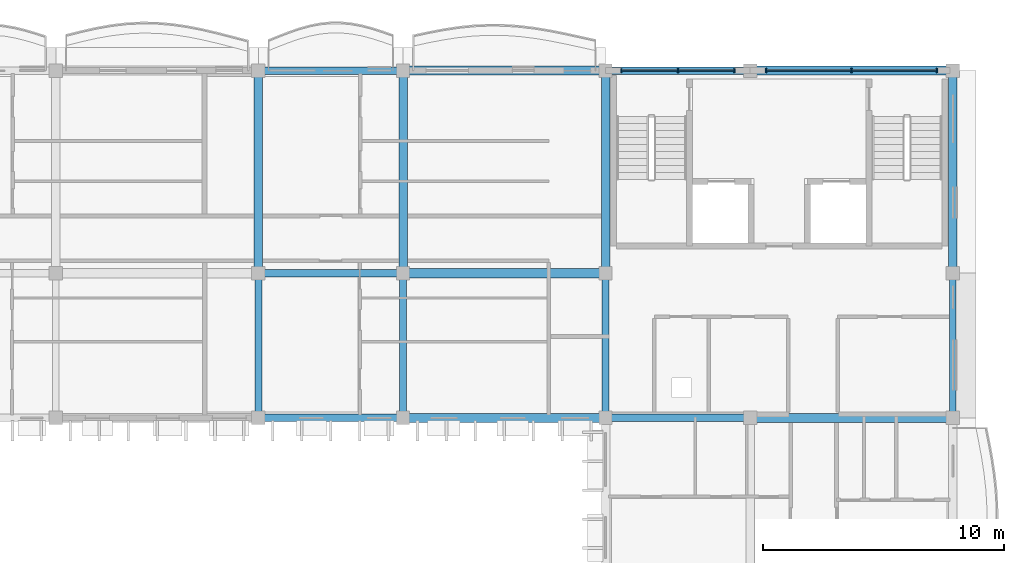
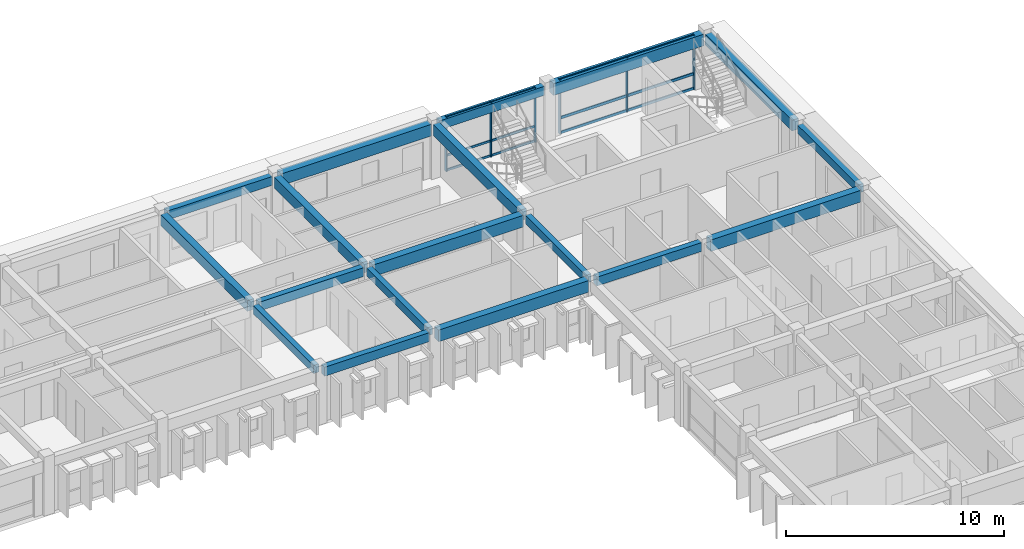
# One storey, part 7 of 31: 18 beams, 12 members, 2 elements without a shape of their own.
"""IFC4 building model written with IfcOpenShell, lengths in metres."""

from ifc_helpers import new_model, si_unit, direction, frame, origin, origin_2d, place, context, subcontext, project, spatial, rectangle, extrude, material, material_profile, profile_set, type_object, element, aggregate, save


model = new_model("IFC4")

# Units and contexts
model_context = context("Model", 3, precision=1e-05, world=origin(), true_north=direction((0.0, 1.0)))
body_context = subcontext(model_context, "Body", "Model", "MODEL_VIEW")
ifc_project = project(units=[si_unit("LENGTHUNIT", "METRE"), si_unit("AREAUNIT", "SQUARE_METRE"), si_unit("VOLUMEUNIT", "CUBIC_METRE"), si_unit("PLANEANGLEUNIT", "RADIAN"), si_unit("MASSUNIT", "GRAM", prefix="KILO"), si_unit("THERMODYNAMICTEMPERATUREUNIT", "KELVIN")], contexts=[model_context])

# Site, building, storey
site_placement = place(None, origin())
site = spatial("IfcSite", under=ifc_project, at=site_placement, CompositionType="ELEMENT")
building_placement = place(site_placement, origin())
building = spatial("IfcBuilding", under=site, at=building_placement, Name="Thalorik Housing Commons", CompositionType="ELEMENT")
storey_placement = place(building_placement, frame((0.0, 0.0, 37.800048828125)))
storey = spatial("IfcBuildingStorey", under=building, at=storey_placement, Name="L11", CompositionType="ELEMENT", Elevation=37.800048828125)

# Curtain wall, members
ifc_material_1 = material(Name="Anodised aluminium and solar-control low-E glass", Category="aluminium")
curtain_wall_type = type_object("IfcCurtainWallType", Name="ARC-CW-CORE", PredefinedType="USERDEFINED", material=ifc_material_1)
curtain_wall_1_placement = place(storey_placement, origin())
curtain_wall_1 = element("IfcCurtainWall", 1, at=curtain_wall_1_placement, inside=storey, type_object=curtain_wall_type, Name="L11 Curtain Wall CW-CORE-L11-B-119", ObjectType="CURTAIN WALL", PredefinedType="USERDEFINED")
ifc_material_2 = material(Name="Anodised aluminium 6063-T6", Category="aluminium")
ifc_material_profile_1 = material_profile(ifc_material_2, rectangle(XDim=0.06005859375, YDim=0.159912109375, at=origin_2d()), Name="ALU MUL 60x160", Category="aluminium")
ifc_profile_set_1 = profile_set([ifc_material_profile_1], Name="Anodised aluminium 6063-T6")
member_type_1 = type_object("IfcMemberType", Name="ARC-CW-MUL-60x160", PredefinedType="MULLION", material=ifc_profile_set_1)
member_1_placement = place(storey_placement, frame((157.75, 123.60009765625, 0.0), z_axis=(0.0, 0.0, 1.0), x_axis=(-1.0, 0.0, 0.0)))
member_1 = element("IfcMember", 2, at=member_1_placement, type_object=member_type_1, Name="CW-CORE-L11-B-119 Mullion 1", PredefinedType="MULLION", context=body_context, shape_type="SweptSolid", body=[
    extrude(rectangle(XDim=0.06005859375, YDim=0.159912109375, at=origin_2d()), origin(), (0.0, 0.0, 1.0), 3.0400390625),
])
member_2_placement = place(storey_placement, frame((155.39990234375, 123.60009765625, 0.0), z_axis=(0.0, 0.0, 1.0), x_axis=(-1.0, 0.0, 0.0)))
member_2 = element("IfcMember", 3, at=member_2_placement, type_object=member_type_1, Name="CW-CORE-L11-B-119 Mullion 2", PredefinedType="MULLION", context=body_context, shape_type="SweptSolid", body=[
    extrude(rectangle(XDim=0.06005859375, YDim=0.159912109375, at=origin_2d()), origin(), (0.0, 0.0, 1.0), 3.0400390625),
])
member_3_placement = place(storey_placement, frame((153.050048828125, 123.60009765625, 0.0), z_axis=(0.0, 0.0, 1.0), x_axis=(-1.0, 0.0, 0.0)))
member_3 = element("IfcMember", 4, at=member_3_placement, type_object=member_type_1, Name="CW-CORE-L11-B-119 Mullion 3", PredefinedType="MULLION", context=body_context, shape_type="SweptSolid", body=[
    extrude(rectangle(XDim=0.06005859375, YDim=0.159912109375, at=origin_2d()), origin(), (0.0, 0.0, 1.0), 3.0400390625),
])

curtain_wall_2_placement = place(storey_placement, origin())
curtain_wall_2 = element("IfcCurtainWall", 5, at=curtain_wall_2_placement, inside=storey, type_object=curtain_wall_type, Name="L11 Curtain Wall CW-CORE-L11-B-118", ObjectType="CURTAIN WALL", PredefinedType="USERDEFINED")
ifc_material_profile_2 = material_profile(ifc_material_2, rectangle(XDim=0.06494140625, YDim=0.179931640625, at=origin_2d()), Name="ALU MUL 65x180", Category="aluminium")
ifc_profile_set_2 = profile_set([ifc_material_profile_2], Name="Anodised aluminium 6063-T6")
member_type_2 = type_object("IfcMemberType", Name="ARC-CW-MUL-65x180", PredefinedType="MULLION", material=ifc_profile_set_2)
member_4_placement = place(storey_placement, frame((166.14990234375, 123.60009765625, 0.0), z_axis=(0.0, 0.0, 1.0), x_axis=(-1.0, 0.0, 0.0)))
member_4 = element("IfcMember", 6, at=member_4_placement, type_object=member_type_2, Name="CW-CORE-L11-B-118 Mullion 1", PredefinedType="MULLION", context=body_context, shape_type="SweptSolid", body=[
    extrude(rectangle(XDim=0.06494140625, YDim=0.179931640625, at=origin_2d()), origin(), (0.0, 0.0, 1.0), 3.0400390625),
])
member_5_placement = place(storey_placement, frame((162.60009765625, 123.60009765625, 0.0), z_axis=(0.0, 0.0, 1.0), x_axis=(-1.0, 0.0, 0.0)))
member_5 = element("IfcMember", 7, at=member_5_placement, type_object=member_type_2, Name="CW-CORE-L11-B-118 Mullion 2", PredefinedType="MULLION", context=body_context, shape_type="SweptSolid", body=[
    extrude(rectangle(XDim=0.06494140625, YDim=0.179931640625, at=origin_2d()), origin(), (0.0, 0.0, 1.0), 3.0400390625),
])
member_6_placement = place(storey_placement, frame((159.050048828125, 123.60009765625, 0.0), z_axis=(0.0, 0.0, 1.0), x_axis=(-1.0, 0.0, 0.0)))
member_6 = element("IfcMember", 8, at=member_6_placement, type_object=member_type_2, Name="CW-CORE-L11-B-118 Mullion 3", PredefinedType="MULLION", context=body_context, shape_type="SweptSolid", body=[
    extrude(rectangle(XDim=0.06494140625, YDim=0.179931640625, at=origin_2d()), origin(), (0.0, 0.0, 1.0), 3.0400390625),
])

# Member
ifc_material_profile_3 = material_profile(ifc_material_2, rectangle(XDim=0.06005859375, YDim=0.1201171875, at=origin_2d()), Name="ALU TRN 60x120", Category="aluminium")
ifc_profile_set_3 = profile_set([ifc_material_profile_3], Name="Anodised aluminium 6063-T6")
member_type_3 = type_object("IfcMemberType", Name="ARC-CW-TRN-60x120", PredefinedType="USERDEFINED", material=ifc_profile_set_3)
member_7_placement = place(storey_placement, frame((157.75, 123.60009765625, 0.054931640625), z_axis=(-1.0, 0.0, 0.0), x_axis=(0.0, -1.0, 0.0)))
member_7 = element("IfcMember", 9, at=member_7_placement, type_object=member_type_3, Name="CW-CORE-L11-B-119 Transom 1", ObjectType="TRANSOM", PredefinedType="USERDEFINED", context=body_context, shape_type="SweptSolid", body=[
    extrude(rectangle(XDim=0.06005859375, YDim=0.1201171875, at=origin_2d()), origin(), (0.0, 0.0, 1.0), 4.699951171875),
])

member_8_placement = place(storey_placement, frame((157.75, 123.60009765625, 0.8798828125), z_axis=(-1.0, 0.0, 0.0), x_axis=(0.0, -1.0, 0.0)))
member_8 = element("IfcMember", 10, at=member_8_placement, type_object=member_type_3, Name="CW-CORE-L11-B-119 Transom 2", ObjectType="TRANSOM", PredefinedType="USERDEFINED", context=body_context, shape_type="SweptSolid", body=[
    extrude(rectangle(XDim=0.06005859375, YDim=0.1201171875, at=origin_2d()), origin(), (0.0, 0.0, 1.0), 4.699951171875),
])

member_9_placement = place(storey_placement, frame((157.75, 123.60009765625, 2.98486328125), z_axis=(-1.0, 0.0, 0.0), x_axis=(0.0, -1.0, 0.0)))
member_9 = element("IfcMember", 11, at=member_9_placement, type_object=member_type_3, Name="CW-CORE-L11-B-119 Transom 3", ObjectType="TRANSOM", PredefinedType="USERDEFINED", context=body_context, shape_type="SweptSolid", body=[
    extrude(rectangle(XDim=0.06005859375, YDim=0.1201171875, at=origin_2d()), origin(), (0.0, 0.0, 1.0), 4.699951171875),
])

aggregate(curtain_wall_1, [member_1, member_2, member_3, member_7, member_8, member_9])

ifc_material_profile_4 = material_profile(ifc_material_2, rectangle(XDim=0.06494140625, YDim=0.14990234375, at=origin_2d()), Name="ALU TRN 65x150", Category="aluminium")
ifc_profile_set_4 = profile_set([ifc_material_profile_4], Name="Anodised aluminium 6063-T6")
member_type_4 = type_object("IfcMemberType", Name="ARC-CW-TRN-65x150", PredefinedType="USERDEFINED", material=ifc_profile_set_4)
member_10_placement = place(storey_placement, frame((166.14990234375, 123.60009765625, 0.054931640625), z_axis=(-1.0, 0.0, 0.0), x_axis=(0.0, -1.0, 0.0)))
member_10 = element("IfcMember", 12, at=member_10_placement, type_object=member_type_4, Name="CW-CORE-L11-B-118 Transom 1", ObjectType="TRANSOM", PredefinedType="USERDEFINED", context=body_context, shape_type="SweptSolid", body=[
    extrude(rectangle(XDim=0.06494140625, YDim=0.14990234375, at=origin_2d()), origin(), (0.0, 0.0, 1.0), 7.099853515625),
])

member_11_placement = place(storey_placement, frame((166.14990234375, 123.60009765625, 0.8798828125), z_axis=(-1.0, 0.0, 0.0), x_axis=(0.0, -1.0, 0.0)))
member_11 = element("IfcMember", 13, at=member_11_placement, type_object=member_type_4, Name="CW-CORE-L11-B-118 Transom 2", ObjectType="TRANSOM", PredefinedType="USERDEFINED", context=body_context, shape_type="SweptSolid", body=[
    extrude(rectangle(XDim=0.06494140625, YDim=0.14990234375, at=origin_2d()), origin(), (0.0, 0.0, 1.0), 7.099853515625),
])

member_12_placement = place(storey_placement, frame((166.14990234375, 123.60009765625, 2.98486328125), z_axis=(-1.0, 0.0, 0.0), x_axis=(0.0, -1.0, 0.0)))
member_12 = element("IfcMember", 14, at=member_12_placement, type_object=member_type_4, Name="CW-CORE-L11-B-118 Transom 3", ObjectType="TRANSOM", PredefinedType="USERDEFINED", context=body_context, shape_type="SweptSolid", body=[
    extrude(rectangle(XDim=0.06494140625, YDim=0.14990234375, at=origin_2d()), origin(), (0.0, 0.0, 1.0), 7.099853515625),
])

aggregate(curtain_wall_2, [member_4, member_5, member_6, member_10, member_11, member_12])

# Beams
ifc_material_3 = material(Name="Precast concrete C40/50", Category="concrete")
ifc_material_profile_5 = material_profile(ifc_material_3, rectangle(XDim=0.280029296875, YDim=0.449951171875, at=origin_2d()), Name="PC 280x450", Category="concrete")
ifc_profile_set_5 = profile_set([ifc_material_profile_5], Name="Precast concrete C40/50")
beam_type_1 = type_object("IfcBeamType", Name="STR-BM-PC280x450", PredefinedType="BEAM", material=ifc_profile_set_5)
for number, where, z_axis, x_axis, name in (
    (15, (138.0, 109.425048828125, 2.81494140625), (0.0, 1.0, 0.0), (-1.0, 0.0, 0.0), "L11 Beam B-450"),
    (16, (144.0, 109.425048828125, 2.81494140625), (0.0, 1.0, 0.0), (-1.0, 0.0, 0.0), "L11 Beam B-450"),
    (17, (152.39990234375, 109.425048828125, 2.81494140625), (0.0, 1.0, 0.0), (-1.0, 0.0, 0.0), "L11 Beam B-450"),
    (18, (166.800048828125, 109.425048828125, 2.81494140625), (0.0, 1.0, 0.0), (-1.0, 0.0, 0.0), "L11 Beam B-450"),
):
    element("IfcBeam", number, at=place(storey_placement, frame(where, z_axis=z_axis, x_axis=x_axis)), inside=storey, type_object=beam_type_1, Name=name, PredefinedType="BEAM", context=body_context, shape_type="SweptSolid", body=[
        extrude(rectangle(XDim=0.280029296875, YDim=0.449951171875, at=origin_2d()), origin(), (0.0, 0.0, 1.0), 5.550048828125),
    ])
ifc_material_profile_6 = material_profile(ifc_material_3, rectangle(XDim=0.300048828125, YDim=0.5, at=origin_2d()), Name="PC 300x500", Category="concrete")
ifc_profile_set_6 = profile_set([ifc_material_profile_6], Name="Precast concrete C40/50")
beam_type_2 = type_object("IfcBeamType", Name="STR-BM-PC300x500", PredefinedType="BEAM", material=ifc_profile_set_6)
beam_1_placement = place(storey_placement, frame((138.22509765625, 109.199951171875, 2.7900390625), z_axis=(1.0, 0.0, 0.0), x_axis=(0.0, 1.0, 0.0)))
element("IfcBeam", 19, at=beam_1_placement, inside=storey, type_object=beam_type_2, Name="L11 Beam B-500", PredefinedType="BEAM", context=body_context, shape_type="SweptSolid", body=[
    extrude(rectangle(XDim=0.300048828125, YDim=0.5, at=origin_2d()), origin(), (0.0, 0.0, 1.0), 5.5498046875),
])
beam_2_placement = place(storey_placement, frame((152.625, 109.199951171875, 2.7900390625), z_axis=(1.0, 0.0, 0.0), x_axis=(0.0, 1.0, 0.0)))
element("IfcBeam", 20, at=beam_2_placement, inside=storey, type_object=beam_type_2, Name="L11 Beam B-500", PredefinedType="BEAM", context=body_context, shape_type="SweptSolid", body=[
    extrude(rectangle(XDim=0.300048828125, YDim=0.5, at=origin_2d()), origin(), (0.0, 0.0, 1.0), 5.550048828125),
])
for number, where, z_axis, x_axis, name in (
    (21, (138.22509765625, 115.199951171875, 2.7900390625), (1.0, 0.0, 0.0), (0.0, 1.0, 0.0), "L11 Beam B-500"),
    (22, (138.22509765625, 123.60009765625, 2.7900390625), (1.0, 0.0, 0.0), (0.0, 1.0, 0.0), "L11 Beam B-500"),
):
    element("IfcBeam", number, at=place(storey_placement, frame(where, z_axis=z_axis, x_axis=x_axis)), inside=storey, type_object=beam_type_2, Name=name, PredefinedType="BEAM", context=body_context, shape_type="SweptSolid", body=[
        extrude(rectangle(XDim=0.300048828125, YDim=0.5, at=origin_2d()), origin(), (0.0, 0.0, 1.0), 5.5498046875),
    ])
beam_3_placement = place(storey_placement, frame((152.625, 123.60009765625, 2.7900390625), z_axis=(1.0, 0.0, 0.0), x_axis=(0.0, 1.0, 0.0)))
element("IfcBeam", 23, at=beam_3_placement, inside=storey, type_object=beam_type_2, Name="L11 Beam B-500", PredefinedType="BEAM", context=body_context, shape_type="SweptSolid", body=[
    extrude(rectangle(XDim=0.300048828125, YDim=0.5, at=origin_2d()), origin(), (0.0, 0.0, 1.0), 5.550048828125),
])
ifc_material_profile_7 = material_profile(ifc_material_3, rectangle(XDim=0.35009765625, YDim=0.60009765625, at=origin_2d()), Name="PC 350x600", Category="concrete")
ifc_profile_set_7 = profile_set([ifc_material_profile_7], Name="Precast concrete C40/50")
beam_type_3 = type_object("IfcBeamType", Name="STR-BM-PC350x600", PredefinedType="BEAM", material=ifc_profile_set_7)
for number, where, z_axis, x_axis, name in (
    (24, (138.0, 115.425048828125, 2.739990234375), (0.0, 1.0, 0.0), (-1.0, 0.0, 0.0), "L11 Beam B-600"),
    (25, (144.0, 115.425048828125, 2.739990234375), (0.0, 1.0, 0.0), (-1.0, 0.0, 0.0), "L11 Beam B-600"),
    (26, (152.39990234375, 115.425048828125, 2.739990234375), (0.0, 1.0, 0.0), (-1.0, 0.0, 0.0), "L11 Beam B-600"),
    (27, (166.800048828125, 115.425048828125, 2.739990234375), (0.0, 1.0, 0.0), (-1.0, 0.0, 0.0), "L11 Beam B-600"),
):
    element("IfcBeam", number, at=place(storey_placement, frame(where, z_axis=z_axis, x_axis=x_axis)), inside=storey, type_object=beam_type_3, Name=name, PredefinedType="BEAM", context=body_context, shape_type="SweptSolid", body=[
        extrude(rectangle(XDim=0.35009765625, YDim=0.60009765625, at=origin_2d()), origin(), (0.0, 0.0, 1.0), 7.949951171875),
    ])
ifc_material_profile_8 = material_profile(ifc_material_3, rectangle(XDim=0.3798828125, YDim=0.64990234375, at=origin_2d()), Name="PC 380x650", Category="concrete")
ifc_profile_set_8 = profile_set([ifc_material_profile_8], Name="Precast concrete C40/50")
beam_type_4 = type_object("IfcBeamType", Name="STR-BM-PC380x650", PredefinedType="BEAM", material=ifc_profile_set_8)
for number, where, z_axis, x_axis, name in (
    (28, (144.22509765625, 109.199951171875, 2.71484375), (1.0, 0.0, 0.0), (0.0, 1.0, 0.0), "L11 Beam B-650"),
    (29, (158.625, 109.199951171875, 2.71484375), (1.0, 0.0, 0.0), (0.0, 1.0, 0.0), "L11 Beam B-650"),
    (30, (144.22509765625, 115.199951171875, 2.71484375), (1.0, 0.0, 0.0), (0.0, 1.0, 0.0), "L11 Beam B-650"),
    (31, (144.22509765625, 123.60009765625, 2.71484375), (1.0, 0.0, 0.0), (0.0, 1.0, 0.0), "L11 Beam B-650"),
    (32, (158.625, 123.60009765625, 2.71484375), (1.0, 0.0, 0.0), (0.0, 1.0, 0.0), "L11 Beam B-650"),
):
    element("IfcBeam", number, at=place(storey_placement, frame(where, z_axis=z_axis, x_axis=x_axis)), inside=storey, type_object=beam_type_4, Name=name, PredefinedType="BEAM", context=body_context, shape_type="SweptSolid", body=[
        extrude(rectangle(XDim=0.3798828125, YDim=0.64990234375, at=origin_2d()), origin(), (0.0, 0.0, 1.0), 7.949951171875),
    ])

save(model, "model.ifc")
